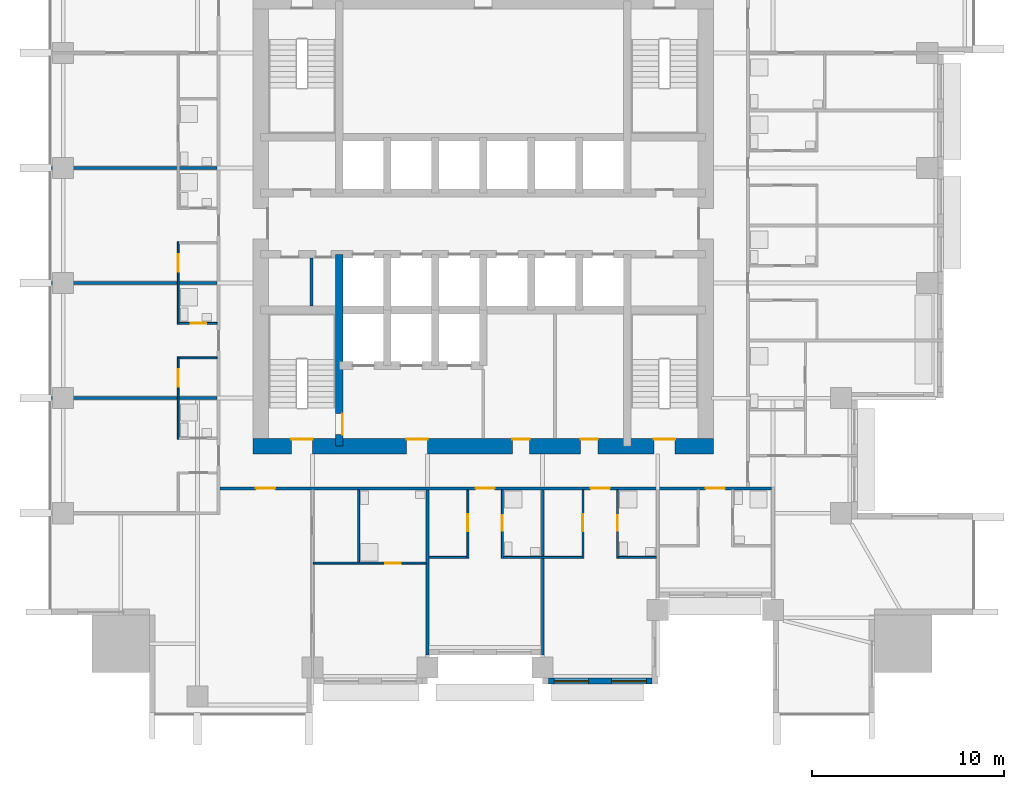
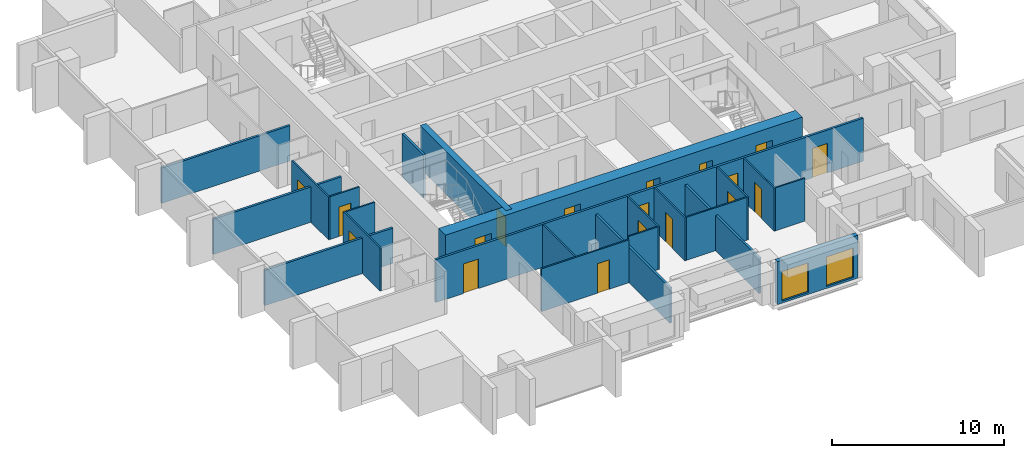
# One storey, part 4 of 11: 23 walls, 18 doors, 2 windows, 20 openings.
"""IFC4 building model written with IfcOpenShell, lengths in metres."""

from ifc_helpers import new_model, si_unit, direction, frame, frame_2d, origin, place, context, subcontext, project, spatial, rectangle, extrude, material, layer, layer_set, type_object, element, fill, save


model = new_model("IFC4")

# Units and contexts
model_context = context("Model", 3, precision=1e-05, world=origin(), true_north=direction((0.0, 1.0)))
body_context = subcontext(model_context, "Body", "Model", "MODEL_VIEW")
ifc_project = project(units=[si_unit("LENGTHUNIT", "METRE"), si_unit("AREAUNIT", "SQUARE_METRE"), si_unit("VOLUMEUNIT", "CUBIC_METRE"), si_unit("PLANEANGLEUNIT", "RADIAN"), si_unit("MASSUNIT", "GRAM", prefix="KILO")], contexts=[model_context])

# Site, building, storey
site_placement = place(None, origin())
site = spatial("IfcSite", under=ifc_project, at=site_placement, CompositionType="ELEMENT")
building_placement = place(site_placement, origin())
building = spatial("IfcBuilding", under=site, at=building_placement, Name="Amberfall Residences", CompositionType="ELEMENT")
storey_placement = place(building_placement, frame((0.0, 0.0, 95.199951171875)))
storey = spatial("IfcBuildingStorey", under=building, at=storey_placement, Name="L25", CompositionType="ELEMENT", Elevation=95.199951171875)

# Wall, openings, windows
ifc_material_1 = material(Name="Pale stone cladding on insulated backing", Category="masonry")
ifc_layer_1 = layer(ifc_material_1, 0.300048828125)
ifc_layer_set_1 = layer_set([ifc_layer_1], Name="Bronze clad wall 300")
wall_type_1 = type_object("IfcWallType", Name="Bronze clad wall 300", PredefinedType="SOLIDWALL", material=ifc_layer_set_1)
wall_1_placement = place(storey_placement, frame((77.89990234375, 21.64990234375, 0.0), z_axis=(0.0, 0.0, 1.0), x_axis=(1.0, 0.0, 0.0)))
wall_1 = element("IfcWall", 1, at=wall_1_placement, inside=storey, type_object=wall_type_1, Name="Stone wall L25 S", PredefinedType="SOLIDWALL", context=body_context, shape_type="SweptSolid", body=[
    extrude(rectangle(XDim=5.400146484375, YDim=0.300048828125, at=frame_2d((2.7001953125, 0.0))), origin(), (0.0, 0.0, 1.0), 3.050048828125),
])
opening_1_placement = place(wall_1_placement, frame((0.300048828125, 0.0, 0.14990234375)))
opening_1 = element("IfcOpeningElement", 2, at=opening_1_placement, cuts=wall_1, Name="Opening WN6", PredefinedType="OPENING", context=body_context, shape_type="SweptSolid", body=[
    extrude(rectangle(XDim=1.800048828125, YDim=2.10009765625, at=frame_2d((0.89990234375, 1.050048828125))), frame((0.0, 0.159912109375, 0.0), z_axis=(0.0, -1.0, 0.0), x_axis=(1.0, 0.0, 0.0)), (0.0, 0.0, 1.0), 0.320068359375),
])
opening_2_placement = place(wall_1_placement, frame((3.300048828125, 0.0, 0.14990234375)))
opening_2 = element("IfcOpeningElement", 3, at=opening_2_placement, cuts=wall_1, Name="Opening WN6", PredefinedType="OPENING", context=body_context, shape_type="SweptSolid", body=[
    extrude(rectangle(XDim=1.800048828125, YDim=2.10009765625, at=frame_2d((0.89990234375, 1.050048828125))), frame((0.0, 0.159912109375, 0.0), z_axis=(0.0, -1.0, 0.0), x_axis=(1.0, 0.0, 0.0)), (0.0, 0.0, 1.0), 0.320068359375),
])
ifc_material_2 = material(Name="Bronze aluminium framed glazing", Category="aluminium")
window_type = type_object("IfcWindowType", Name="Glazed opening 1800 x 2100 bronze", PartitioningType="DOUBLE_PANEL_VERTICAL", PredefinedType="WINDOW", material=ifc_material_2)
window_1_placement = place(opening_1_placement, origin())
window_1 = element("IfcWindow", 4, at=window_1_placement, inside=storey, type_object=window_type, Name="Window L25 S", OverallHeight=2.10009765625, OverallWidth=1.800048828125, PartitioningType="DOUBLE_PANEL_VERTICAL", PredefinedType="WINDOW", context=body_context, shape_type="SweptSolid", body=[
    extrude(rectangle(XDim=1.800048828125, YDim=2.10009765625, at=frame_2d((0.89990234375, 1.050048828125))), frame((0.0, 0.030029296875, 0.0), z_axis=(0.0, -1.0, 0.0), x_axis=(1.0, 0.0, 0.0)), (0.0, 0.0, 1.0), 0.06005859375),
])
fill(opening_1, window_1)
window_2_placement = place(opening_2_placement, origin())
window_2 = element("IfcWindow", 5, at=window_2_placement, inside=storey, type_object=window_type, Name="Window L25 S", OverallHeight=2.10009765625, OverallWidth=1.800048828125, PartitioningType="DOUBLE_PANEL_VERTICAL", PredefinedType="WINDOW", context=body_context, shape_type="SweptSolid", body=[
    extrude(rectangle(XDim=1.800048828125, YDim=2.10009765625, at=frame_2d((0.89990234375, 1.050048828125))), frame((0.0, 0.030029296875, 0.0), z_axis=(0.0, -1.0, 0.0), x_axis=(1.0, 0.0, 0.0)), (0.0, 0.0, 1.0), 0.06005859375),
])
fill(opening_2, window_2)

# Wall, opening, door
ifc_material_3 = material(Name="Concrete C70", Category="concrete")
ifc_layer_2 = layer(ifc_material_3, 0.39990234375)
ifc_layer_set_2 = layer_set([ifc_layer_2], Name="Core wall 400 C70")
wall_type_2 = type_object("IfcWallType", Name="Core wall 400 C70", PredefinedType="SHEAR", material=ifc_layer_set_2)
wall_2_placement = place(storey_placement, frame((67.0, 33.89990234375, 0.0), z_axis=(0.0, 0.0, 1.0), x_axis=(0.0, 1.0, 0.0)))
wall_2 = element("IfcWall", 6, at=wall_2_placement, inside=storey, type_object=wall_type_2, Name="Core wall RW4 L25 V45S", PredefinedType="SHEAR", context=body_context, shape_type="SweptSolid", body=[
    extrude(rectangle(XDim=10.0, YDim=0.39990234375, at=frame_2d((5.0, 0.0))), origin(), (0.0, 0.0, 1.0), 3.050048828125),
])
opening_3_placement = place(wall_2_placement, frame((0.60009765625, 0.0, 0.0)))
opening_3 = element("IfcOpeningElement", 7, at=opening_3_placement, cuts=wall_2, Name="Opening FL1", PredefinedType="OPENING", context=body_context, shape_type="SweptSolid", body=[
    extrude(rectangle(XDim=1.10009765625, YDim=2.10009765625, at=frame_2d((0.550048828125, 1.050048828125))), frame((0.0, 0.2099609375, 0.0), z_axis=(0.0, -1.0, 0.0), x_axis=(1.0, 0.0, 0.0)), (0.0, 0.0, 1.0), 0.419921875),
])
ifc_material_4 = material(Name="Steel fire door set", Category="steel")
door_type_1 = type_object("IfcDoorType", Name="Firefighting lobby door 1100 x 2100", OperationType="SINGLE_SWING_LEFT", PredefinedType="DOOR", material=ifc_material_4)
door_1_placement = place(opening_3_placement, origin())
door_1 = element("IfcDoor", 8, at=door_1_placement, inside=storey, type_object=door_type_1, Name="FL1 L25", OperationType="SINGLE_SWING_RIGHT", OverallHeight=2.10009765625, OverallWidth=1.10009765625, PredefinedType="DOOR", context=body_context, shape_type="SweptSolid", body=[
    extrude(rectangle(XDim=1.10009765625, YDim=2.10009765625, at=frame_2d((0.550048828125, 1.050048828125))), frame((0.0, -0.1376953125, 0.0), z_axis=(0.0, -1.0, 0.0), x_axis=(1.0, 0.0, 0.0)), (0.0, 0.0, 1.0), 0.050048828125),
])
fill(opening_3, door_1)

# Wall, openings, doors
ifc_layer_3 = layer(ifc_material_3, 0.800048828125)
ifc_layer_set_3 = layer_set([ifc_layer_3], Name="Core wall 800 C70")
wall_type_3 = type_object("IfcWallType", Name="Core wall 800 C70", PredefinedType="SHEAR", material=ifc_layer_set_3)
wall_3_placement = place(storey_placement, frame((62.5, 33.89990234375, 0.0), z_axis=(0.0, 0.0, 1.0), x_axis=(1.0, 0.0, 0.0)))
wall_3 = element("IfcWall", 9, at=wall_3_placement, inside=storey, type_object=wall_type_3, Name="Core wall RW3 L25 OS", PredefinedType="SHEAR", context=body_context, shape_type="SweptSolid", body=[
    extrude(rectangle(XDim=24.0, YDim=0.800048828125, at=frame_2d((12.0, 0.0))), origin(), (0.0, 0.0, 1.0), 3.050048828125),
])
opening_4_placement = place(wall_3_placement, frame((2.0, 0.0, 0.0)))
opening_4 = element("IfcOpeningElement", 10, at=opening_4_placement, cuts=wall_3, Name="Opening SD1", PredefinedType="OPENING", context=body_context, shape_type="SweptSolid", body=[
    extrude(rectangle(XDim=1.10009765625, YDim=2.10009765625, at=frame_2d((0.550048828125, 1.050048828125))), frame((0.0, 0.409912109375, 0.0), z_axis=(0.0, -1.0, 0.0), x_axis=(1.0, 0.0, 0.0)), (0.0, 0.0, 1.0), 0.820068359375),
])
opening_5_placement = place(wall_3_placement, frame((20.89990234375, 0.0, 0.0)))
opening_5 = element("IfcOpeningElement", 11, at=opening_5_placement, cuts=wall_3, Name="Opening SD1", PredefinedType="OPENING", context=body_context, shape_type="SweptSolid", body=[
    extrude(rectangle(XDim=1.10009765625, YDim=2.10009765625, at=frame_2d((0.550048828125, 1.050048828125))), frame((0.0, 0.409912109375, 0.0), z_axis=(0.0, -1.0, 0.0), x_axis=(1.0, 0.0, 0.0)), (0.0, 0.0, 1.0), 0.820068359375),
])
opening_6_placement = place(wall_3_placement, frame((8.0, 0.0, 0.0)))
opening_6 = element("IfcOpeningElement", 12, at=opening_6_placement, cuts=wall_3, Name="Opening FL1", PredefinedType="OPENING", context=body_context, shape_type="SweptSolid", body=[
    extrude(rectangle(XDim=1.10009765625, YDim=2.10009765625, at=frame_2d((0.550048828125, 1.050048828125))), frame((0.0, 0.409912109375, 0.0), z_axis=(0.0, -1.0, 0.0), x_axis=(1.0, 0.0, 0.0)), (0.0, 0.0, 1.0), 0.820068359375),
])
opening_7_placement = place(wall_3_placement, frame((13.52490234375, 0.0, 0.0)))
opening_7 = element("IfcOpeningElement", 13, at=opening_7_placement, cuts=wall_3, Name="Opening RD1", PredefinedType="OPENING", context=body_context, shape_type="SweptSolid", body=[
    extrude(rectangle(XDim=0.89990234375, YDim=2.10009765625, at=frame_2d((0.449951171875, 1.050048828125))), frame((0.0, 0.409912109375, 0.0), z_axis=(0.0, -1.0, 0.0), x_axis=(1.0, 0.0, 0.0)), (0.0, 0.0, 1.0), 0.820068359375),
])
opening_8_placement = place(wall_3_placement, frame((17.074951171875, 0.0, 0.0)))
opening_8 = element("IfcOpeningElement", 14, at=opening_8_placement, cuts=wall_3, Name="Opening RD1", PredefinedType="OPENING", context=body_context, shape_type="SweptSolid", body=[
    extrude(rectangle(XDim=0.89990234375, YDim=2.10009765625, at=frame_2d((0.449951171875, 1.050048828125))), frame((0.0, 0.409912109375, 0.0), z_axis=(0.0, -1.0, 0.0), x_axis=(1.0, 0.0, 0.0)), (0.0, 0.0, 1.0), 0.820068359375),
])
door_2_placement = place(opening_6_placement, origin())
door_2 = element("IfcDoor", 15, at=door_2_placement, inside=storey, type_object=door_type_1, Name="FL1 L25", OperationType="SINGLE_SWING_LEFT", OverallHeight=2.10009765625, OverallWidth=1.10009765625, PredefinedType="DOOR", context=body_context, shape_type="SweptSolid", body=[
    extrude(rectangle(XDim=1.10009765625, YDim=2.10009765625, at=frame_2d((0.550048828125, 1.050048828125))), frame((0.0, 0.3876953125, 0.0), z_axis=(0.0, -1.0, 0.0), x_axis=(1.0, 0.0, 0.0)), (0.0, 0.0, 1.0), 0.050048828125),
])
fill(opening_6, door_2)
door_type_2 = type_object("IfcDoorType", Name="Service room door 900 x 2100", OperationType="SINGLE_SWING_LEFT", PredefinedType="DOOR", material=ifc_material_4)
door_3_placement = place(opening_7_placement, origin())
door_3 = element("IfcDoor", 16, at=door_3_placement, inside=storey, type_object=door_type_2, Name="RD1 L25", OperationType="SINGLE_SWING_LEFT", OverallHeight=2.10009765625, OverallWidth=0.89990234375, PredefinedType="DOOR", context=body_context, shape_type="SweptSolid", body=[
    extrude(rectangle(XDim=0.89990234375, YDim=2.10009765625, at=frame_2d((0.449951171875, 1.050048828125))), frame((0.0, 0.3876953125, 0.0), z_axis=(0.0, -1.0, 0.0), x_axis=(1.0, 0.0, 0.0)), (0.0, 0.0, 1.0), 0.050048828125),
])
fill(opening_7, door_3)
door_4_placement = place(opening_8_placement, origin())
door_4 = element("IfcDoor", 17, at=door_4_placement, inside=storey, type_object=door_type_2, Name="RD1 L25", OperationType="SINGLE_SWING_LEFT", OverallHeight=2.10009765625, OverallWidth=0.89990234375, PredefinedType="DOOR", context=body_context, shape_type="SweptSolid", body=[
    extrude(rectangle(XDim=0.89990234375, YDim=2.10009765625, at=frame_2d((0.449951171875, 1.050048828125))), frame((0.0, 0.3876953125, 0.0), z_axis=(0.0, -1.0, 0.0), x_axis=(1.0, 0.0, 0.0)), (0.0, 0.0, 1.0), 0.050048828125),
])
fill(opening_8, door_4)
door_type_3 = type_object("IfcDoorType", Name="Stair door 1100 x 2100", OperationType="SINGLE_SWING_LEFT", PredefinedType="DOOR", material=ifc_material_4)
door_5_placement = place(opening_4_placement, origin())
door_5 = element("IfcDoor", 18, at=door_5_placement, inside=storey, type_object=door_type_3, Name="SD1 L25", OperationType="SINGLE_SWING_LEFT", OverallHeight=2.10009765625, OverallWidth=1.10009765625, PredefinedType="DOOR", context=body_context, shape_type="SweptSolid", body=[
    extrude(rectangle(XDim=1.10009765625, YDim=2.10009765625, at=frame_2d((0.550048828125, 1.050048828125))), frame((0.0, 0.3876953125, 0.0), z_axis=(0.0, -1.0, 0.0), x_axis=(1.0, 0.0, 0.0)), (0.0, 0.0, 1.0), 0.050048828125),
])
fill(opening_4, door_5)
door_6_placement = place(opening_5_placement, origin())
door_6 = element("IfcDoor", 19, at=door_6_placement, inside=storey, type_object=door_type_3, Name="SD1 L25", OperationType="SINGLE_SWING_RIGHT", OverallHeight=2.10009765625, OverallWidth=1.10009765625, PredefinedType="DOOR", context=body_context, shape_type="SweptSolid", body=[
    extrude(rectangle(XDim=1.10009765625, YDim=2.10009765625, at=frame_2d((0.550048828125, 1.050048828125))), frame((0.0, 0.3876953125, 0.0), z_axis=(0.0, -1.0, 0.0), x_axis=(1.0, 0.0, 0.0)), (0.0, 0.0, 1.0), 0.050048828125),
])
fill(opening_5, door_6)

# Wall, opening, door
ifc_material_5 = material(Name="Gypsum board on metal stud")
ifc_layer_4 = layer(ifc_material_5, 0.10009765625)
ifc_layer_set_4 = layer_set([ifc_layer_4], Name="Flat partition 100")
wall_type_4 = type_object("IfcWallType", Name="Flat partition 100", PredefinedType="PARTITIONING", material=ifc_layer_set_4)
wall_4_placement = place(storey_placement, frame((58.60009765625, 38.550048828125, 0.0), z_axis=(0.0, 0.0, 1.0), x_axis=(0.0, -1.0, 0.0)))
wall_4 = element("IfcWall", 20, at=wall_4_placement, inside=storey, type_object=wall_type_4, Name="Partition 002", PredefinedType="PARTITIONING", context=body_context, shape_type="SweptSolid", body=[
    extrude(rectangle(XDim=4.300048828125, YDim=0.10009765625, at=frame_2d((2.14990234375, 0.0))), origin(), (0.0, 0.0, 1.0), 3.050048828125),
])
opening_9_placement = place(wall_4_placement, frame((0.64990234375, 0.0, 0.0)))
opening_9 = element("IfcOpeningElement", 21, at=opening_9_placement, cuts=wall_4, Name="Opening D41", PredefinedType="OPENING", context=body_context, shape_type="SweptSolid", body=[
    extrude(rectangle(XDim=0.89990234375, YDim=2.10009765625, at=frame_2d((0.449951171875, 1.050048828125))), frame((0.0, 0.06005859375, 0.0), z_axis=(0.0, -1.0, 0.0), x_axis=(1.0, 0.0, 0.0)), (0.0, 0.0, 1.0), 0.1201171875),
])
ifc_material_6 = material(Name="Timber", Category="wood")
door_type_4 = type_object("IfcDoorType", Name="Internal door 900 x 2100", OperationType="SINGLE_SWING_LEFT", PredefinedType="DOOR", material=ifc_material_6)
door_7_placement = place(opening_9_placement, origin())
door_7 = element("IfcDoor", 22, at=door_7_placement, inside=storey, type_object=door_type_4, Name="Door 2514 kitchen", OperationType="SINGLE_SWING_LEFT", OverallHeight=2.10009765625, OverallWidth=0.89990234375, PredefinedType="DOOR", context=body_context, shape_type="SweptSolid", body=[
    extrude(rectangle(XDim=0.89990234375, YDim=2.10009765625, at=frame_2d((0.449951171875, 1.050048828125))), frame((0.0, 0.02490234375, 0.0), z_axis=(0.0, -1.0, 0.0), x_axis=(1.0, 0.0, 0.0)), (0.0, 0.0, 1.0), 0.050048828125),
])
fill(opening_9, door_7)

wall_5_placement = place(storey_placement, frame((58.60009765625, 44.550048828125, 0.0), z_axis=(0.0, 0.0, 1.0), x_axis=(0.0, -1.0, 0.0)))
wall_5 = element("IfcWall", 23, at=wall_5_placement, inside=storey, type_object=wall_type_4, Name="Partition 003", PredefinedType="PARTITIONING", context=body_context, shape_type="SweptSolid", body=[
    extrude(rectangle(XDim=4.300048828125, YDim=0.10009765625, at=frame_2d((2.14990234375, 0.0))), origin(), (0.0, 0.0, 1.0), 3.050048828125),
])
opening_10_placement = place(wall_5_placement, frame((0.64990234375, 0.0, 0.0)))
opening_10 = element("IfcOpeningElement", 24, at=opening_10_placement, cuts=wall_5, Name="Opening D41", PredefinedType="OPENING", context=body_context, shape_type="SweptSolid", body=[
    extrude(rectangle(XDim=0.89990234375, YDim=2.10009765625, at=frame_2d((0.449951171875, 1.050048828125))), frame((0.0, 0.06005859375, 0.0), z_axis=(0.0, -1.0, 0.0), x_axis=(1.0, 0.0, 0.0)), (0.0, 0.0, 1.0), 0.1201171875),
])
door_8_placement = place(opening_10_placement, origin())
door_8 = element("IfcDoor", 25, at=door_8_placement, inside=storey, type_object=door_type_4, Name="Door 2515 kitchen", OperationType="SINGLE_SWING_LEFT", OverallHeight=2.10009765625, OverallWidth=0.89990234375, PredefinedType="DOOR", context=body_context, shape_type="SweptSolid", body=[
    extrude(rectangle(XDim=0.89990234375, YDim=2.10009765625, at=frame_2d((0.449951171875, 1.050048828125))), frame((0.0, 0.02490234375, 0.0), z_axis=(0.0, -1.0, 0.0), x_axis=(1.0, 0.0, 0.0)), (0.0, 0.0, 1.0), 0.050048828125),
])
fill(opening_10, door_8)

# Wall
wall_6_placement = place(storey_placement, frame((68.0, 27.85009765625, 0.0), z_axis=(0.0, 0.0, 1.0), x_axis=(0.0, 1.0, 0.0)))
element("IfcWall", 26, at=wall_6_placement, inside=storey, type_object=wall_type_4, Name="Partition 009", PredefinedType="PARTITIONING", context=body_context, shape_type="SweptSolid", body=[
    extrude(rectangle(XDim=3.77490234375, YDim=0.10009765625, at=frame_2d((1.887451171875, 0.0))), origin(), (0.0, 0.0, 1.0), 3.050048828125),
])

# Wall, opening, door
wall_7_placement = place(storey_placement, frame((73.699951171875, 28.050048828125, 0.0), z_axis=(0.0, 0.0, 1.0), x_axis=(0.0, 1.0, 0.0)))
wall_7 = element("IfcWall", 27, at=wall_7_placement, inside=storey, type_object=wall_type_4, Name="Partition 011", PredefinedType="PARTITIONING", context=body_context, shape_type="SweptSolid", body=[
    extrude(rectangle(XDim=3.574951171875, YDim=0.10009765625, at=frame_2d((1.78759765625, 0.0))), origin(), (0.0, 0.0, 1.0), 3.050048828125),
])
opening_11_placement = place(wall_7_placement, frame((1.39990234375, 0.0, 0.0)))
opening_11 = element("IfcOpeningElement", 28, at=opening_11_placement, cuts=wall_7, Name="Opening D41", PredefinedType="OPENING", context=body_context, shape_type="SweptSolid", body=[
    extrude(rectangle(XDim=0.89990234375, YDim=2.10009765625, at=frame_2d((0.449951171875, 1.050048828125))), frame((0.0, 0.06005859375, 0.0), z_axis=(0.0, -1.0, 0.0), x_axis=(1.0, 0.0, 0.0)), (0.0, 0.0, 1.0), 0.1201171875),
])
door_9_placement = place(opening_11_placement, origin())
door_9 = element("IfcDoor", 29, at=door_9_placement, inside=storey, type_object=door_type_4, Name="Door 2502 kitchen", OperationType="SINGLE_SWING_LEFT", OverallHeight=2.10009765625, OverallWidth=0.89990234375, PredefinedType="DOOR", context=body_context, shape_type="SweptSolid", body=[
    extrude(rectangle(XDim=0.89990234375, YDim=2.10009765625, at=frame_2d((0.449951171875, 1.050048828125))), frame((0.0, 0.02490234375, 0.0), z_axis=(0.0, -1.0, 0.0), x_axis=(1.0, 0.0, 0.0)), (0.0, 0.0, 1.0), 0.050048828125),
])
fill(opening_11, door_9)

wall_8_placement = place(storey_placement, frame((75.5, 31.625, 0.0), z_axis=(0.0, 0.0, 1.0), x_axis=(0.0, -1.0, 0.0)))
wall_8 = element("IfcWall", 30, at=wall_8_placement, inside=storey, type_object=wall_type_4, Name="Partition 013", PredefinedType="PARTITIONING", context=body_context, shape_type="SweptSolid", body=[
    extrude(rectangle(XDim=3.574951171875, YDim=0.10009765625, at=frame_2d((1.78759765625, 0.0))), origin(), (0.0, 0.0, 1.0), 3.050048828125),
])
opening_12_placement = place(wall_8_placement, frame((1.324951171875, 0.0, 0.0)))
opening_12 = element("IfcOpeningElement", 31, at=opening_12_placement, cuts=wall_8, Name="Opening D42", PredefinedType="OPENING", context=body_context, shape_type="SweptSolid", body=[
    extrude(rectangle(XDim=0.800048828125, YDim=2.10009765625, at=frame_2d((0.39990234375, 1.050048828125))), frame((0.0, 0.06005859375, 0.0), z_axis=(0.0, -1.0, 0.0), x_axis=(1.0, 0.0, 0.0)), (0.0, 0.0, 1.0), 0.1201171875),
])
door_type_5 = type_object("IfcDoorType", Name="Bathroom door 800 x 2100", OperationType="SINGLE_SWING_LEFT", PredefinedType="DOOR", material=ifc_material_6)
door_10_placement = place(opening_12_placement, origin())
door_10 = element("IfcDoor", 32, at=door_10_placement, inside=storey, type_object=door_type_5, Name="Door 2502 bath1", OperationType="SINGLE_SWING_LEFT", OverallHeight=2.10009765625, OverallWidth=0.800048828125, PredefinedType="DOOR", context=body_context, shape_type="SweptSolid", body=[
    extrude(rectangle(XDim=0.800048828125, YDim=2.10009765625, at=frame_2d((0.39990234375, 1.050048828125))), frame((0.0, 0.02490234375, 0.0), z_axis=(0.0, -1.0, 0.0), x_axis=(1.0, 0.0, 0.0)), (0.0, 0.0, 1.0), 0.050048828125),
])
fill(opening_12, door_10)

wall_9_placement = place(storey_placement, frame((79.699951171875, 28.050048828125, 0.0), z_axis=(0.0, 0.0, 1.0), x_axis=(0.0, 1.0, 0.0)))
wall_9 = element("IfcWall", 33, at=wall_9_placement, inside=storey, type_object=wall_type_4, Name="Partition 015", PredefinedType="PARTITIONING", context=body_context, shape_type="SweptSolid", body=[
    extrude(rectangle(XDim=3.574951171875, YDim=0.10009765625, at=frame_2d((1.78759765625, 0.0))), origin(), (0.0, 0.0, 1.0), 3.050048828125),
])
opening_13_placement = place(wall_9_placement, frame((1.39990234375, 0.0, 0.0)))
opening_13 = element("IfcOpeningElement", 34, at=opening_13_placement, cuts=wall_9, Name="Opening D41", PredefinedType="OPENING", context=body_context, shape_type="SweptSolid", body=[
    extrude(rectangle(XDim=0.89990234375, YDim=2.10009765625, at=frame_2d((0.449951171875, 1.050048828125))), frame((0.0, 0.06005859375, 0.0), z_axis=(0.0, -1.0, 0.0), x_axis=(1.0, 0.0, 0.0)), (0.0, 0.0, 1.0), 0.1201171875),
])
door_11_placement = place(opening_13_placement, origin())
door_11 = element("IfcDoor", 35, at=door_11_placement, inside=storey, type_object=door_type_4, Name="Door 2503 kitchen", OperationType="SINGLE_SWING_LEFT", OverallHeight=2.10009765625, OverallWidth=0.89990234375, PredefinedType="DOOR", context=body_context, shape_type="SweptSolid", body=[
    extrude(rectangle(XDim=0.89990234375, YDim=2.10009765625, at=frame_2d((0.449951171875, 1.050048828125))), frame((0.0, 0.02490234375, 0.0), z_axis=(0.0, -1.0, 0.0), x_axis=(1.0, 0.0, 0.0)), (0.0, 0.0, 1.0), 0.050048828125),
])
fill(opening_13, door_11)

wall_10_placement = place(storey_placement, frame((81.5, 31.625, 0.0), z_axis=(0.0, 0.0, 1.0), x_axis=(0.0, -1.0, 0.0)))
wall_10 = element("IfcWall", 36, at=wall_10_placement, inside=storey, type_object=wall_type_4, Name="Partition 017", PredefinedType="PARTITIONING", context=body_context, shape_type="SweptSolid", body=[
    extrude(rectangle(XDim=3.574951171875, YDim=0.10009765625, at=frame_2d((1.78759765625, 0.0))), origin(), (0.0, 0.0, 1.0), 3.050048828125),
])
opening_14_placement = place(wall_10_placement, frame((1.324951171875, 0.0, 0.0)))
opening_14 = element("IfcOpeningElement", 37, at=opening_14_placement, cuts=wall_10, Name="Opening D42", PredefinedType="OPENING", context=body_context, shape_type="SweptSolid", body=[
    extrude(rectangle(XDim=0.800048828125, YDim=2.10009765625, at=frame_2d((0.39990234375, 1.050048828125))), frame((0.0, 0.06005859375, 0.0), z_axis=(0.0, -1.0, 0.0), x_axis=(1.0, 0.0, 0.0)), (0.0, 0.0, 1.0), 0.1201171875),
])
door_12_placement = place(opening_14_placement, origin())
door_12 = element("IfcDoor", 38, at=door_12_placement, inside=storey, type_object=door_type_5, Name="Door 2503 bath1", OperationType="SINGLE_SWING_LEFT", OverallHeight=2.10009765625, OverallWidth=0.800048828125, PredefinedType="DOOR", context=body_context, shape_type="SweptSolid", body=[
    extrude(rectangle(XDim=0.800048828125, YDim=2.10009765625, at=frame_2d((0.39990234375, 1.050048828125))), frame((0.0, 0.02490234375, 0.0), z_axis=(0.0, -1.0, 0.0), x_axis=(1.0, 0.0, 0.0)), (0.0, 0.0, 1.0), 0.050048828125),
])
fill(opening_14, door_12)

wall_11_placement = place(storey_placement, frame((58.64990234375, 40.300048828125, 0.0), z_axis=(0.0, 0.0, 1.0), x_axis=(1.0, 0.0, 0.0)))
wall_11 = element("IfcWall", 39, at=wall_11_placement, inside=storey, type_object=wall_type_4, Name="Partition 041", PredefinedType="PARTITIONING", context=body_context, shape_type="SweptSolid", body=[
    extrude(rectangle(XDim=1.97509765625, YDim=0.10009765625, at=frame_2d((0.987548828125, 0.0))), origin(), (0.0, 0.0, 1.0), 3.050048828125),
])
opening_15_placement = place(wall_11_placement, frame((0.60009765625, 0.0, 0.0)))
opening_15 = element("IfcOpeningElement", 40, at=opening_15_placement, cuts=wall_11, Name="Opening D42", PredefinedType="OPENING", context=body_context, shape_type="SweptSolid", body=[
    extrude(rectangle(XDim=0.800048828125, YDim=2.10009765625, at=frame_2d((0.39990234375, 1.050048828125))), frame((0.0, 0.06005859375, 0.0), z_axis=(0.0, -1.0, 0.0), x_axis=(1.0, 0.0, 0.0)), (0.0, 0.0, 1.0), 0.1201171875),
])
door_13_placement = place(opening_15_placement, origin())
door_13 = element("IfcDoor", 41, at=door_13_placement, inside=storey, type_object=door_type_5, Name="Door 2514 bath1", OperationType="SINGLE_SWING_LEFT", OverallHeight=2.10009765625, OverallWidth=0.800048828125, PredefinedType="DOOR", context=body_context, shape_type="SweptSolid", body=[
    extrude(rectangle(XDim=0.800048828125, YDim=2.10009765625, at=frame_2d((0.39990234375, 1.050048828125))), frame((0.0, 0.02490234375, 0.0), z_axis=(0.0, -1.0, 0.0), x_axis=(1.0, 0.0, 0.0)), (0.0, 0.0, 1.0), 0.050048828125),
])
fill(opening_15, door_13)

# Walls
wall_12_placement = place(storey_placement, frame((58.64990234375, 38.5, 0.0), z_axis=(0.0, 0.0, 1.0), x_axis=(1.0, 0.0, 0.0)))
element("IfcWall", 42, at=wall_12_placement, inside=storey, type_object=wall_type_4, Name="Partition 042", PredefinedType="PARTITIONING", context=body_context, shape_type="SweptSolid", body=[
    extrude(rectangle(XDim=1.97509765625, YDim=0.10009765625, at=frame_2d((0.987548828125, 0.0))), origin(), (0.0, 0.0, 1.0), 3.050048828125),
])
wall_13_placement = place(storey_placement, frame((71.675048828125, 28.10009765625, 0.0), z_axis=(0.0, 0.0, 1.0), x_axis=(1.0, 0.0, 0.0)))
element("IfcWall", 43, at=wall_13_placement, inside=storey, type_object=wall_type_4, Name="Partition 049", PredefinedType="PARTITIONING", context=body_context, shape_type="SweptSolid", body=[
    extrude(rectangle(XDim=1.974853515625, YDim=0.10009765625, at=frame_2d((0.9873046875, 0.0))), origin(), (0.0, 0.0, 1.0), 3.050048828125),
])
wall_14_placement = place(storey_placement, frame((75.550048828125, 28.10009765625, 0.0), z_axis=(0.0, 0.0, 1.0), x_axis=(1.0, 0.0, 0.0)))
element("IfcWall", 44, at=wall_14_placement, inside=storey, type_object=wall_type_4, Name="Partition 050", PredefinedType="PARTITIONING", context=body_context, shape_type="SweptSolid", body=[
    extrude(rectangle(XDim=4.099853515625, YDim=0.10009765625, at=frame_2d((2.0498046875, 0.0))), origin(), (0.0, 0.0, 1.0), 3.050048828125),
])
wall_15_placement = place(storey_placement, frame((81.550048828125, 28.10009765625, 0.0), z_axis=(0.0, 0.0, 1.0), x_axis=(1.0, 0.0, 0.0)))
element("IfcWall", 45, at=wall_15_placement, inside=storey, type_object=wall_type_4, Name="Partition 051", PredefinedType="PARTITIONING", context=body_context, shape_type="SweptSolid", body=[
    extrude(rectangle(XDim=1.974853515625, YDim=0.10009765625, at=frame_2d((0.9873046875, 0.0))), origin(), (0.0, 0.0, 1.0), 3.050048828125),
])

# Wall, opening, door
wall_16_placement = place(storey_placement, frame((65.64990234375, 27.800048828125, 0.0), z_axis=(0.0, 0.0, 1.0), x_axis=(1.0, 0.0, 0.0)))
wall_16 = element("IfcWall", 46, at=wall_16_placement, inside=storey, type_object=wall_type_4, Name="Partition 052", PredefinedType="PARTITIONING", context=body_context, shape_type="SweptSolid", body=[
    extrude(rectangle(XDim=5.875, YDim=0.10009765625, at=frame_2d((2.9375, 0.0))), origin(), (0.0, 0.0, 1.0), 3.050048828125),
])
opening_16_placement = place(wall_16_placement, frame((3.75, 0.0, 0.0)))
opening_16 = element("IfcOpeningElement", 47, at=opening_16_placement, cuts=wall_16, Name="Opening D42", PredefinedType="OPENING", context=body_context, shape_type="SweptSolid", body=[
    extrude(rectangle(XDim=0.800048828125, YDim=2.10009765625, at=frame_2d((0.39990234375, 1.050048828125))), frame((0.0, 0.06005859375, 0.0), z_axis=(0.0, -1.0, 0.0), x_axis=(1.0, 0.0, 0.0)), (0.0, 0.0, 1.0), 0.1201171875),
])
door_14_placement = place(opening_16_placement, origin())
door_14 = element("IfcDoor", 48, at=door_14_placement, inside=storey, type_object=door_type_5, Name="Door 2501 bath1", OperationType="SINGLE_SWING_LEFT", OverallHeight=2.10009765625, OverallWidth=0.800048828125, PredefinedType="DOOR", context=body_context, shape_type="SweptSolid", body=[
    extrude(rectangle(XDim=0.800048828125, YDim=2.10009765625, at=frame_2d((0.39990234375, 1.050048828125))), frame((0.0, 0.02490234375, 0.0), z_axis=(0.0, -1.0, 0.0), x_axis=(1.0, 0.0, 0.0)), (0.0, 0.0, 1.0), 0.050048828125),
])
fill(opening_16, door_14)

# Walls
ifc_material_7 = material(Name="Blockwork, plastered", Category="masonry")
ifc_layer_5 = layer(ifc_material_7, 0.14990234375)
ifc_layer_set_5 = layer_set([ifc_layer_5], Name="Flat separating wall 150")
wall_type_5 = type_object("IfcWallType", Name="Flat separating wall 150", PredefinedType="PARTITIONING", material=ifc_layer_set_5)
for number, where, z_axis, x_axis, name in (
    (49, (71.60009765625, 23.0, 0.0), (0.0, 0.0, 1.0), (0.0, 1.0, 0.0), "Separating wall 056"),
    (50, (77.60009765625, 23.0, 0.0), (0.0, 0.0, 1.0), (0.0, 1.0, 0.0), "Separating wall 058"),
    (51, (52.0, 48.39990234375, 0.0), (0.0, 0.0, 1.0), (1.0, 0.0, 0.0), "Separating wall 066"),
    (52, (52.0, 42.39990234375, 0.0), (0.0, 0.0, 1.0), (1.0, 0.0, 0.0), "Separating wall 068"),
    (53, (52.0, 36.39990234375, 0.0), (0.0, 0.0, 1.0), (1.0, 0.0, 0.0), "Separating wall 070"),
):
    element("IfcWall", number, at=place(storey_placement, frame(where, z_axis=z_axis, x_axis=x_axis)), inside=storey, type_object=wall_type_5, Name=name, PredefinedType="PARTITIONING", context=body_context, shape_type="SweptSolid", body=[
        extrude(rectangle(XDim=8.625, YDim=0.14990234375, at=frame_2d((4.3125, 0.0))), origin(), (0.0, 0.0, 1.0), 2.51611328125),
    ])

# Wall, openings, doors
wall_17_placement = place(storey_placement, frame((89.52490234375, 31.699951171875, 0.0), z_axis=(0.0, 0.0, 1.0), x_axis=(-1.0, 0.0, 0.0)))
wall_17 = element("IfcWall", 54, at=wall_17_placement, inside=storey, type_object=wall_type_5, Name="Separating wall 071", PredefinedType="PARTITIONING", context=body_context, shape_type="SweptSolid", body=[
    extrude(rectangle(XDim=28.75, YDim=0.14990234375, at=frame_2d((14.375, 0.0))), origin(), (0.0, 0.0, 1.0), 3.050048828125),
])
opening_17_placement = place(wall_17_placement, frame((25.875, 0.0, 0.0)))
opening_17 = element("IfcOpeningElement", 55, at=opening_17_placement, cuts=wall_17, Name="Opening D40", PredefinedType="OPENING", context=body_context, shape_type="SweptSolid", body=[
    extrude(rectangle(XDim=1.0, YDim=2.10009765625, at=frame_2d((0.5, 1.050048828125))), frame((0.0, 0.0849609375, 0.0), z_axis=(0.0, -1.0, 0.0), x_axis=(1.0, 0.0, 0.0)), (0.0, 0.0, 1.0), 0.169921875),
])
opening_18_placement = place(wall_17_placement, frame((14.425048828125, 0.0, 0.0)))
opening_18 = element("IfcOpeningElement", 56, at=opening_18_placement, cuts=wall_17, Name="Opening D40", PredefinedType="OPENING", context=body_context, shape_type="SweptSolid", body=[
    extrude(rectangle(XDim=1.0, YDim=2.10009765625, at=frame_2d((0.5, 1.050048828125))), frame((0.0, 0.0849609375, 0.0), z_axis=(0.0, -1.0, 0.0), x_axis=(1.0, 0.0, 0.0)), (0.0, 0.0, 1.0), 0.169921875),
])
opening_19_placement = place(wall_17_placement, frame((8.425048828125, 0.0, 0.0)))
opening_19 = element("IfcOpeningElement", 57, at=opening_19_placement, cuts=wall_17, Name="Opening D40", PredefinedType="OPENING", context=body_context, shape_type="SweptSolid", body=[
    extrude(rectangle(XDim=1.0, YDim=2.10009765625, at=frame_2d((0.5, 1.050048828125))), frame((0.0, 0.0849609375, 0.0), z_axis=(0.0, -1.0, 0.0), x_axis=(1.0, 0.0, 0.0)), (0.0, 0.0, 1.0), 0.169921875),
])
opening_20_placement = place(wall_17_placement, frame((2.425048828125, 0.0, 0.0)))
opening_20 = element("IfcOpeningElement", 58, at=opening_20_placement, cuts=wall_17, Name="Opening D40", PredefinedType="OPENING", context=body_context, shape_type="SweptSolid", body=[
    extrude(rectangle(XDim=1.0, YDim=2.10009765625, at=frame_2d((0.5, 1.050048828125))), frame((0.0, 0.0849609375, 0.0), z_axis=(0.0, -1.0, 0.0), x_axis=(1.0, 0.0, 0.0)), (0.0, 0.0, 1.0), 0.169921875),
])
ifc_material_8 = material(Name="Timber, fire-rated", Category="wood")
door_type_6 = type_object("IfcDoorType", Name="Flat entrance door FD60 1000 x 2100", OperationType="SINGLE_SWING_LEFT", PredefinedType="DOOR", material=ifc_material_8)
door_15_placement = place(opening_17_placement, origin())
door_15 = element("IfcDoor", 59, at=door_15_placement, inside=storey, type_object=door_type_6, Name="Door 2501 entrance", OperationType="SINGLE_SWING_LEFT", OverallHeight=2.10009765625, OverallWidth=1.0, PredefinedType="DOOR", context=body_context, shape_type="SweptSolid", body=[
    extrude(rectangle(XDim=1.0, YDim=2.10009765625, at=frame_2d((0.5, 1.050048828125))), frame((0.0, 0.02490234375, 0.0), z_axis=(0.0, -1.0, 0.0), x_axis=(1.0, 0.0, 0.0)), (0.0, 0.0, 1.0), 0.050048828125),
])
fill(opening_17, door_15)
door_16_placement = place(opening_18_placement, origin())
door_16 = element("IfcDoor", 60, at=door_16_placement, inside=storey, type_object=door_type_6, Name="Door 2502 entrance", OperationType="SINGLE_SWING_LEFT", OverallHeight=2.10009765625, OverallWidth=1.0, PredefinedType="DOOR", context=body_context, shape_type="SweptSolid", body=[
    extrude(rectangle(XDim=1.0, YDim=2.10009765625, at=frame_2d((0.5, 1.050048828125))), frame((0.0, 0.02490234375, 0.0), z_axis=(0.0, -1.0, 0.0), x_axis=(1.0, 0.0, 0.0)), (0.0, 0.0, 1.0), 0.050048828125),
])
fill(opening_18, door_16)
door_17_placement = place(opening_19_placement, origin())
door_17 = element("IfcDoor", 61, at=door_17_placement, inside=storey, type_object=door_type_6, Name="Door 2503 entrance", OperationType="SINGLE_SWING_LEFT", OverallHeight=2.10009765625, OverallWidth=1.0, PredefinedType="DOOR", context=body_context, shape_type="SweptSolid", body=[
    extrude(rectangle(XDim=1.0, YDim=2.10009765625, at=frame_2d((0.5, 1.050048828125))), frame((0.0, 0.02490234375, 0.0), z_axis=(0.0, -1.0, 0.0), x_axis=(1.0, 0.0, 0.0)), (0.0, 0.0, 1.0), 0.050048828125),
])
fill(opening_19, door_17)
door_18_placement = place(opening_20_placement, origin())
door_18 = element("IfcDoor", 62, at=door_18_placement, inside=storey, type_object=door_type_6, Name="Door 2504 entrance", OperationType="SINGLE_SWING_LEFT", OverallHeight=2.10009765625, OverallWidth=1.0, PredefinedType="DOOR", context=body_context, shape_type="SweptSolid", body=[
    extrude(rectangle(XDim=1.0, YDim=2.10009765625, at=frame_2d((0.5, 1.050048828125))), frame((0.0, 0.02490234375, 0.0), z_axis=(0.0, -1.0, 0.0), x_axis=(1.0, 0.0, 0.0)), (0.0, 0.0, 1.0), 0.050048828125),
])
fill(opening_20, door_18)

# Wall
ifc_material_9 = material(Name="Concrete blockwork", Category="masonry")
ifc_layer_6 = layer(ifc_material_9, 0.14990234375)
ifc_layer_set_6 = layer_set([ifc_layer_6], Name="Riser wall 150")
wall_type_6 = type_object("IfcWallType", Name="Riser wall 150", PredefinedType="PLUMBINGWALL", material=ifc_layer_set_6)
wall_18_placement = place(storey_placement, frame((65.5400390625, 41.199951171875, 0.0), z_axis=(0.0, 0.0, 1.0), x_axis=(0.0, 1.0, 0.0)))
element("IfcWall", 63, at=wall_18_placement, inside=storey, type_object=wall_type_6, Name="L25 core wall ASW0", PredefinedType="PLUMBINGWALL", context=body_context, shape_type="SweptSolid", body=[
    extrude(rectangle(XDim=2.5, YDim=0.14990234375, at=frame_2d((1.25, 0.0))), origin(), (0.0, 0.0, 1.0), 3.050048828125),
])

save(model, "model.ifc")
